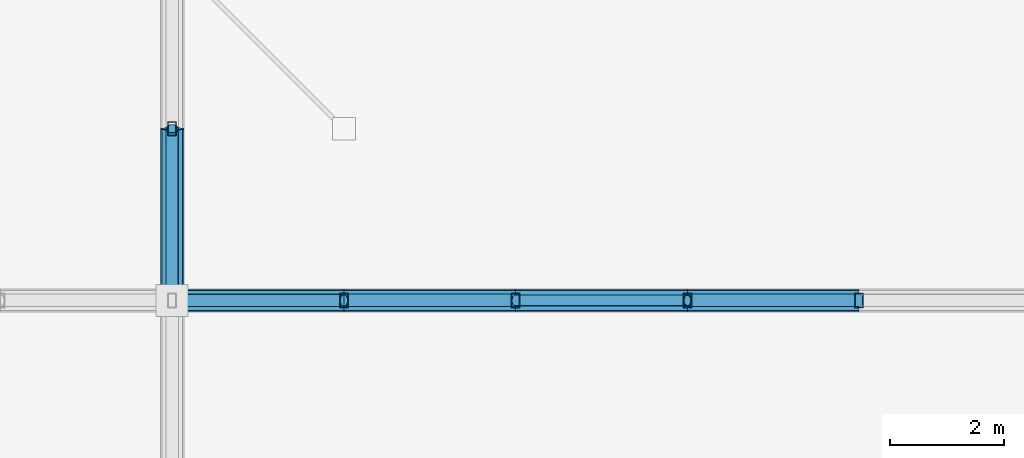
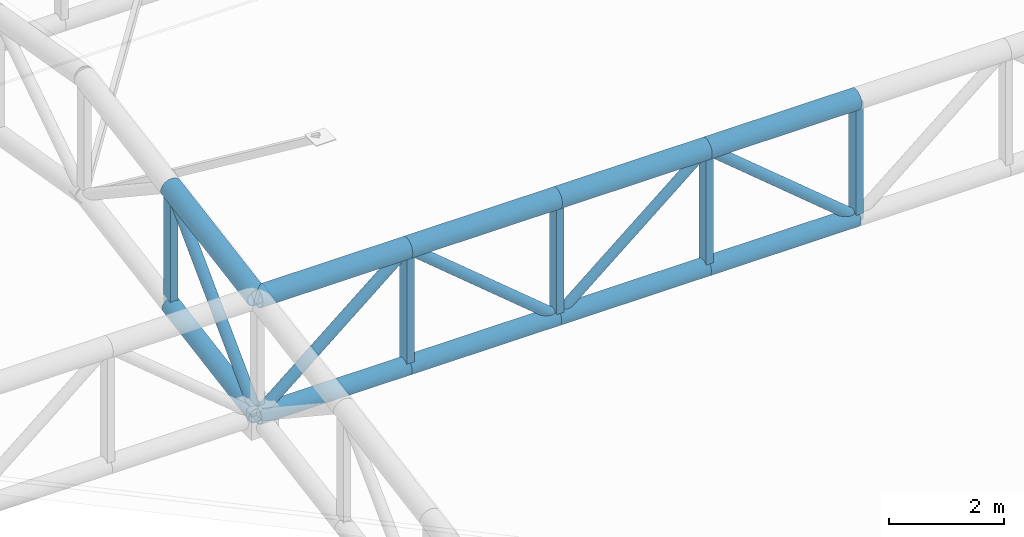
# One storey, part 83 of 239: 20 members.
"""IFC4 building model written with IfcOpenShell, lengths in metres."""

import ifcopenshell
import ifcopenshell.guid

model = None  # the IFC model being written
_history = None  # IfcOwnerHistory: only IFC2X3 demands one
_inside = {}  # id of a spatial element -> (the spatial element, [elements in it])
_under = {}  # id of a project, library or spatial element -> (it, [spatial elements below it])
_declared = {}  # id of a project -> (the project, [libraries it declares])
_typed = {}  # id of a type object -> (the type object, [elements of that type])
_made_of = {}  # id of a material, layer set ... -> (it, [elements and type objects made of it])


def new_model(schema):
    """Start an empty IFC model of exactly this schema.

    Asked for "IFC4X3", IfcOpenShell would pick the latest addendum, in which some entities
    have other attributes; the version numbers below select the first issue.
    IFC2X3 requires an IfcOwnerHistory on every rooted entity: one is made here for all.
    """
    global model, _history
    if schema == "IFC4X3":
        model = ifcopenshell.file(schema_version=(4, 3, 0, 0))
    else:
        model = ifcopenshell.file(schema=schema)
    _inside.clear()
    _under.clear()
    _declared.clear()
    _typed.clear()
    _made_of.clear()
    _history = None
    if model.schema == "IFC2X3":
        org = make("IfcOrganization", Name="unknown")
        user = make(
            "IfcPersonAndOrganization",
            ThePerson=make("IfcPerson", FamilyName="unknown"),
            TheOrganization=org,
        )
        app = make(
            "IfcApplication",
            ApplicationDeveloper=org,
            Version="unknown",
            ApplicationFullName="unknown",
            ApplicationIdentifier="unknown",
        )
        _history = make(
            "IfcOwnerHistory",
            OwningUser=user,
            OwningApplication=app,
            ChangeAction="ADDED",
            CreationDate=0,
        )
    return model


def make(cls, **values):
    """One entity of the class cls with the attributes given. An attribute that is None is left unset."""
    return model.create_entity(
        cls, **{name: value for name, value in values.items() if value is not None}
    )


def rooted(cls, **values):
    """An entity with a GlobalId (a new one), such as an element, a storey or a relation."""
    return make(cls, GlobalId=ifcopenshell.guid.new(), OwnerHistory=_history, **values)


def si_unit(unit_type, name, prefix=None):
    """IfcSIUnit, for example si_unit("LENGTHUNIT", "METRE", prefix="MILLI")."""
    return make("IfcSIUnit", UnitType=unit_type, Prefix=prefix, Name=name)


def assignment(units):
    """IfcUnitAssignment: the units of a project."""
    return None if units is None else make("IfcUnitAssignment", Units=units)


def point(xyz):
    """IfcCartesianPoint."""
    return None if xyz is None else make("IfcCartesianPoint", Coordinates=xyz)


def direction(xyz):
    """IfcDirection."""
    return None if xyz is None else make("IfcDirection", DirectionRatios=xyz)


def frame(location, z_axis=None, x_axis=None):
    """IfcAxis2Placement3D, a coordinate frame: its origin and axes. An axis left out is left unset."""
    return make(
        "IfcAxis2Placement3D",
        Location=point(location),
        Axis=direction(z_axis),
        RefDirection=direction(x_axis),
    )


def frame_2d(location, x_axis=None):
    """IfcAxis2Placement2D, a coordinate frame in the plane: its origin and x axis."""
    return make(
        "IfcAxis2Placement2D", Location=point(location), RefDirection=direction(x_axis)
    )


def origin():
    """The frame at (0, 0, 0) with its axes left unset."""
    return frame((0.0, 0.0, 0.0))


def origin_2d():
    """The frame at (0, 0) in the plane with its x axis left unset."""
    return frame_2d((0.0, 0.0))


def place(relative_to, where):
    """IfcLocalPlacement: puts the frame where relative to a parent placement (None: the world)."""
    return make(
        "IfcLocalPlacement", PlacementRelTo=relative_to, RelativePlacement=where
    )


def context(
    kind, dimensions, precision=None, world=None, true_north=None, identifier=None
):
    """IfcGeometricRepresentationContext, for example the 3D "Model" context."""
    return make(
        "IfcGeometricRepresentationContext",
        ContextIdentifier=identifier,
        ContextType=kind,
        CoordinateSpaceDimension=dimensions,
        Precision=precision,
        WorldCoordinateSystem=world,
        TrueNorth=true_north,
    )


def subcontext(parent, identifier, kind, view, scale=None):
    """IfcGeometricRepresentationSubContext, for example "Body" below "Model"."""
    return make(
        "IfcGeometricRepresentationSubContext",
        ContextIdentifier=identifier,
        ContextType=kind,
        ParentContext=parent,
        TargetScale=scale,
        TargetView=view,
    )


def project(units=None, contexts=None):
    """IfcProject with its units and contexts."""
    return rooted(
        "IfcProject",
        Name="project",
        RepresentationContexts=contexts,
        UnitsInContext=assignment(units),
    )


def spatial(cls, under=None, at=None, **own):
    """A site, building, storey or space (cls), placed at a placement, below another one or the project."""
    s = rooted(cls, ObjectPlacement=at, **own)
    if under is not None:
        _under.setdefault(under.id(), (under, []))[1].append(s)
    return s


def profile(cls, at=None, kind="AREA", **sizes):
    """A parametric profile (cls). Its sizes go by their IFC names, for example OverallWidth=200.0."""
    return make(cls, ProfileType=kind, Position=at, **sizes)


def hollow_rectangle(**sizes):
    """IfcRectangleHollowProfileDef."""
    return profile("IfcRectangleHollowProfileDef", **sizes)


def hollow_circle(**sizes):
    """IfcCircleHollowProfileDef."""
    return profile("IfcCircleHollowProfileDef", **sizes)


def extrude(swept, where, along, depth):
    """IfcExtrudedAreaSolid: the profile swept, set in the frame where, extruded along a direction by depth."""
    return make(
        "IfcExtrudedAreaSolid",
        SweptArea=swept,
        Position=where,
        ExtrudedDirection=direction(along),
        Depth=depth,
    )


def shape(context_of_items, identifier, shape_type, items):
    """IfcShapeRepresentation: the items that make up one representation, for example the "Body"."""
    return make(
        "IfcShapeRepresentation",
        ContextOfItems=context_of_items,
        RepresentationIdentifier=identifier,
        RepresentationType=shape_type,
        Items=items,
    )


def material(Name=None, Category=None):
    """IfcMaterial."""
    return make("IfcMaterial", Name=Name, Category=Category)


def material_profile(
    of_material, cross_section, Name=None, Category=None, Priority=None
):
    """IfcMaterialProfile: a cross section and its material."""
    return make(
        "IfcMaterialProfile",
        Name=Name,
        Material=of_material,
        Profile=cross_section,
        Priority=Priority,
        Category=Category,
    )


def profile_set(profiles, Name=None, composite=None):
    """IfcMaterialProfileSet."""
    return make(
        "IfcMaterialProfileSet",
        Name=Name,
        MaterialProfiles=profiles,
        CompositeProfile=composite,
    )


def made_of(thing, what):
    """Note that an element or type object is made of a material, layer set ...; save() writes the relation."""
    if what is not None:
        _made_of.setdefault(what.id(), (what, []))[1].append(thing)
    return thing


def type_object(cls, material=None, **own):
    """A type object (cls), such as IfcWallType, which elements share."""
    return made_of(rooted(cls, **own), material)


def element(
    cls,
    number,
    at=None,
    inside=None,
    cuts=None,
    type_object=None,
    material=None,
    context=None,
    identifier="Body",
    shape_type=None,
    held_by="IfcProductDefinitionShape",
    body=None,
    shapes=None,
    **own,
):
    """One element of the class cls, such as IfcWall. Its Tag is "e" and its number.

    at: its placement. inside: the storey or other place that contains it. cuts: it is an
    opening in that element (IfcRelVoidsElement). A single representation is given by context,
    identifier, shape_type and body (its items); several are given by shapes. held_by: the class
    of the entity that holds the representations. save() writes the other relations.
    """
    e = rooted(cls, Tag="e%d" % number, ObjectPlacement=at, **own)
    if body is not None:
        shapes = [shape(context, identifier, shape_type, body)]
    if shapes is not None:
        e.Representation = make(held_by, Representations=shapes)
    if inside is not None:
        _inside.setdefault(inside.id(), (inside, []))[1].append(e)
    if cuts is not None:
        rooted(
            "IfcRelVoidsElement", RelatingBuildingElement=cuts, RelatedOpeningElement=e
        )
    if type_object is not None:
        _typed.setdefault(type_object.id(), (type_object, []))[1].append(e)
    return made_of(e, material)


def aggregate(whole, parts):
    """IfcRelAggregates: a whole, such as a stair, and the parts it consists of."""
    return rooted("IfcRelAggregates", RelatingObject=whole, RelatedObjects=parts)


def save(model, path):
    """Write the relations noted so far, then the file.

    IfcRelAggregates (storeys below a building ...), IfcRelContainedInSpatialStructure (elements
    in a storey), IfcRelDefinesByType, IfcRelAssociatesMaterial and IfcRelDeclares: one each for
    every whole, place, type object, material and project.
    """
    for whole, parts in _under.values():
        aggregate(whole, parts)
    for where, things in _inside.values():
        rooted(
            "IfcRelContainedInSpatialStructure",
            RelatedElements=things,
            RelatingStructure=where,
        )
    for kind, things in _typed.values():
        rooted("IfcRelDefinesByType", RelatedObjects=things, RelatingType=kind)
    for what, things in _made_of.values():
        rooted("IfcRelAssociatesMaterial", RelatedObjects=things, RelatingMaterial=what)
    for by, libraries in _declared.values():
        rooted("IfcRelDeclares", RelatingContext=by, RelatedDefinitions=libraries)
    model.write(path)


model = new_model("IFC4")

# Units and contexts
model_context = context("Model", 3, precision=1e-05, world=origin(), true_north=direction((0.0, 1.0)))
body_context = subcontext(model_context, "Body", "Model", "MODEL_VIEW")
ifc_project = project(units=[si_unit("LENGTHUNIT", "METRE"), si_unit("AREAUNIT", "SQUARE_METRE"), si_unit("VOLUMEUNIT", "CUBIC_METRE"), si_unit("PLANEANGLEUNIT", "RADIAN"), si_unit("MASSUNIT", "GRAM", prefix="KILO")], contexts=[model_context])

# Site, building, storey
site_placement = place(None, origin())
site = spatial("IfcSite", under=ifc_project, at=site_placement, CompositionType="ELEMENT")
building_placement = place(site_placement, origin())
building = spatial("IfcBuilding", under=site, at=building_placement, Name="Kaldris Quays Convention Centre", CompositionType="ELEMENT")
storey_placement = place(building_placement, frame((0.0, 0.0, 11.39990234375)))
storey = spatial("IfcBuildingStorey", under=building, at=storey_placement, Name="L02", CompositionType="ELEMENT", Elevation=11.39990234375)

# Members
ifc_material = material(Name="Steel S355J2H", Category="steel")
ifc_material_profile_1 = material_profile(ifc_material, hollow_circle(Radius=0.203125, WallThickness=0.01611328125, at=origin_2d()), Name="CHS 406.4x16")
ifc_profile_set_1 = profile_set([ifc_material_profile_1], Name="Steel S355J2H")
member_type_1 = type_object("IfcMemberType", Name="STRUCTURAL MEMBER SC01", PredefinedType="CHORD", material=ifc_profile_set_1)
for number, where, z_axis, x_axis, name in (
    (1, (38.0, 92.0, 15.84326171875), (1.0, 0.0, 0.0), (0.0, 1.0, 0.0), "SF-V1 Top Chord X 133"),
    (2, (41.0, 92.0, 15.84326171875), (1.0, 0.0, 0.0), (0.0, 1.0, 0.0), "SF-V1 Top Chord X 134"),
    (3, (44.0, 92.0, 15.84326171875), (1.0, 0.0, 0.0), (0.0, 1.0, 0.0), "SF-V1 Top Chord X 135"),
    (4, (47.0, 92.0, 15.84326171875), (1.0, 0.0, 0.0), (0.0, 1.0, 0.0), "SF-V1 Top Chord X 136"),
):
    element("IfcMember", number, at=place(storey_placement, frame(where, z_axis=z_axis, x_axis=x_axis)), inside=storey, type_object=member_type_1, Name=name, PredefinedType="CHORD", context=body_context, shape_type="SweptSolid", body=[
        extrude(hollow_circle(Radius=0.203125, WallThickness=0.01611328125, at=origin_2d()), origin(), (0.0, 0.0, 1.0), 3.0),
    ])
member_1_placement = place(storey_placement, frame((38.0, 92.0, 15.84326171875), z_axis=(0.0, 0.985615766076, 0.169001661712), x_axis=(-1.0, 0.0, 0.0)))
element("IfcMember", 5, at=member_1_placement, inside=storey, type_object=member_type_1, Name="SF-V1 Top Chord Y 377", PredefinedType="CHORD", context=body_context, shape_type="SweptSolid", body=[
    extrude(hollow_circle(Radius=0.203125, WallThickness=0.01611328125, at=origin_2d()), origin(), (0.0, 0.0, 1.0), 3.043701171875),
])
ifc_material_profile_2 = material_profile(ifc_material, hollow_circle(Radius=0.177734375, WallThickness=0.01611328125, at=origin_2d()), Name="CHS 355.6x16")
ifc_profile_set_2 = profile_set([ifc_material_profile_2], Name="Steel S355J2H")
member_type_2 = type_object("IfcMemberType", Name="STRUCTURAL MEMBER SC02", PredefinedType="CHORD", material=ifc_profile_set_2)
for number, where, z_axis, x_axis, name in (
    (6, (38.0, 92.0, 13.34326171875), (1.0, 0.0, 0.0), (0.0, 1.0, 0.0), "SF-V1 Bottom Chord X 133"),
    (7, (41.0, 92.0, 13.34326171875), (1.0, 0.0, 0.0), (0.0, 1.0, 0.0), "SF-V1 Bottom Chord X 134"),
    (8, (44.0, 92.0, 13.34326171875), (1.0, 0.0, 0.0), (0.0, 1.0, 0.0), "SF-V1 Bottom Chord X 135"),
    (9, (47.0, 92.0, 13.34326171875), (1.0, 0.0, 0.0), (0.0, 1.0, 0.0), "SF-V1 Bottom Chord X 136"),
):
    element("IfcMember", number, at=place(storey_placement, frame(where, z_axis=z_axis, x_axis=x_axis)), inside=storey, type_object=member_type_2, Name=name, PredefinedType="CHORD", context=body_context, shape_type="SweptSolid", body=[
        extrude(hollow_circle(Radius=0.177734375, WallThickness=0.01611328125, at=origin_2d()), origin(), (0.0, 0.0, 1.0), 3.0),
    ])
member_2_placement = place(storey_placement, frame((38.0, 92.0, 13.34326171875), z_axis=(0.0, 0.985615766076, 0.169001661712), x_axis=(-1.0, 0.0, 0.0)))
element("IfcMember", 10, at=member_2_placement, inside=storey, type_object=member_type_2, Name="SF-V1 Bottom Chord Y 377", PredefinedType="CHORD", context=body_context, shape_type="SweptSolid", body=[
    extrude(hollow_circle(Radius=0.177734375, WallThickness=0.01611328125, at=origin_2d()), origin(), (0.0, 0.0, 1.0), 3.043701171875),
])
ifc_material_profile_3 = material_profile(ifc_material, hollow_circle(Radius=0.109619140625, WallThickness=0.010009765625, at=origin_2d()), Name="CHS 219.1x10")
ifc_profile_set_3 = profile_set([ifc_material_profile_3], Name="Steel S355J2H")
member_type_3 = type_object("IfcMemberType", Name="STRUCTURAL MEMBER SWB1", PredefinedType="BRACE", material=ifc_profile_set_3)
for number, where, z_axis, x_axis, name in (
    (11, (38.0, 92.0, 13.34326171875), (0.768221279597, 0.0, 0.640184399664), (0.0, 1.0, 0.0), "SF-V1 Web Diagonal X 133"),
    (12, (44.0, 92.0, 13.34326171875), (-0.768221279597, 0.0, 0.640184399664), (0.0, -1.0, 0.0), "SF-V1 Web Diagonal X 134"),
    (13, (50.0, 92.0, 13.34326171875), (-0.768221279597, 0.0, 0.640184399664), (0.0, -1.0, 0.0), "SF-V1 Web Diagonal X 136"),
):
    element("IfcMember", number, at=place(storey_placement, frame(where, z_axis=z_axis, x_axis=x_axis)), inside=storey, type_object=member_type_3, Name=name, PredefinedType="BRACE", context=body_context, shape_type="SweptSolid", body=[
        extrude(hollow_circle(Radius=0.109619140625, WallThickness=0.010009765625, at=origin_2d()), origin(), (0.0, 0.0, 1.0), 3.905029296875),
    ])
member_3_placement = place(storey_placement, frame((38.0, 92.0, 13.34326171875), z_axis=(0.0, 0.705411261057, 0.708798245465), x_axis=(-1.0, 0.0, 0.0)))
element("IfcMember", 14, at=member_3_placement, inside=storey, type_object=member_type_3, Name="SF-V1 Web Diagonal Y 377", PredefinedType="BRACE", context=body_context, shape_type="SweptSolid", body=[
    extrude(hollow_circle(Radius=0.109619140625, WallThickness=0.010009765625, at=origin_2d()), origin(), (0.0, 0.0, 1.0), 4.2529296875),
])
ifc_material_profile_4 = material_profile(ifc_material, hollow_circle(Radius=0.096923828125, WallThickness=0.008056640625, at=origin_2d()), Name="CHS 193.7x8")
ifc_profile_set_4 = profile_set([ifc_material_profile_4], Name="Steel S355J2H")
member_type_4 = type_object("IfcMemberType", Name="STRUCTURAL MEMBER SWB3", PredefinedType="BRACE", material=ifc_profile_set_4)
member_4_placement = place(storey_placement, frame((44.0, 92.0, 13.34326171875), z_axis=(0.768221279597, 0.0, 0.640184399664), x_axis=(0.0, 1.0, 0.0)))
element("IfcMember", 15, at=member_4_placement, inside=storey, type_object=member_type_4, Name="SF-V1 Web Diagonal X 135", PredefinedType="BRACE", context=body_context, shape_type="SweptSolid", body=[
    extrude(hollow_circle(Radius=0.096923828125, WallThickness=0.008056640625, at=origin_2d()), origin(), (0.0, 0.0, 1.0), 3.905029296875),
])
ifc_material_profile_5 = material_profile(ifc_material, hollow_rectangle(XDim=0.14990234375, YDim=0.25, WallThickness=0.010009765625, at=origin_2d()), Name="RHS 250x150x10")
ifc_profile_set_5 = profile_set([ifc_material_profile_5], Name="Steel S355J2H")
member_type_5 = type_object("IfcMemberType", Name="STRUCTURAL MEMBER TTV1", PredefinedType="POST", material=ifc_profile_set_5)
for number, where, z_axis, x_axis, name in (
    (16, (38.0, 95.0, 13.857666015625), (0.0, 0.0, 1.0), (1.0, 0.0, 0.0), "SF-V1 Space-Frame Post 83"),
    (17, (41.0, 92.0, 13.34326171875), (0.0, 0.0, 1.0), (1.0, 0.0, 0.0), "SF-V1 Space-Frame Post 102"),
    (18, (44.0, 92.0, 13.34326171875), (0.0, 0.0, 1.0), (1.0, 0.0, 0.0), "SF-V1 Space-Frame Post 110"),
    (19, (47.0, 92.0, 13.34326171875), (0.0, 0.0, 1.0), (1.0, 0.0, 0.0), "SF-V1 Space-Frame Post 118"),
    (20, (50.0, 92.0, 13.34326171875), (0.0, 0.0, 1.0), (1.0, 0.0, 0.0), "SF-V1 Space-Frame Post 126"),
):
    element("IfcMember", number, at=place(storey_placement, frame(where, z_axis=z_axis, x_axis=x_axis)), inside=storey, type_object=member_type_5, Name=name, PredefinedType="POST", context=body_context, shape_type="SweptSolid", body=[
        extrude(hollow_rectangle(XDim=0.14990234375, YDim=0.25, WallThickness=0.010009765625, at=origin_2d()), origin(), (0.0, 0.0, 1.0), 2.5),
    ])

save(model, "model.ifc")
